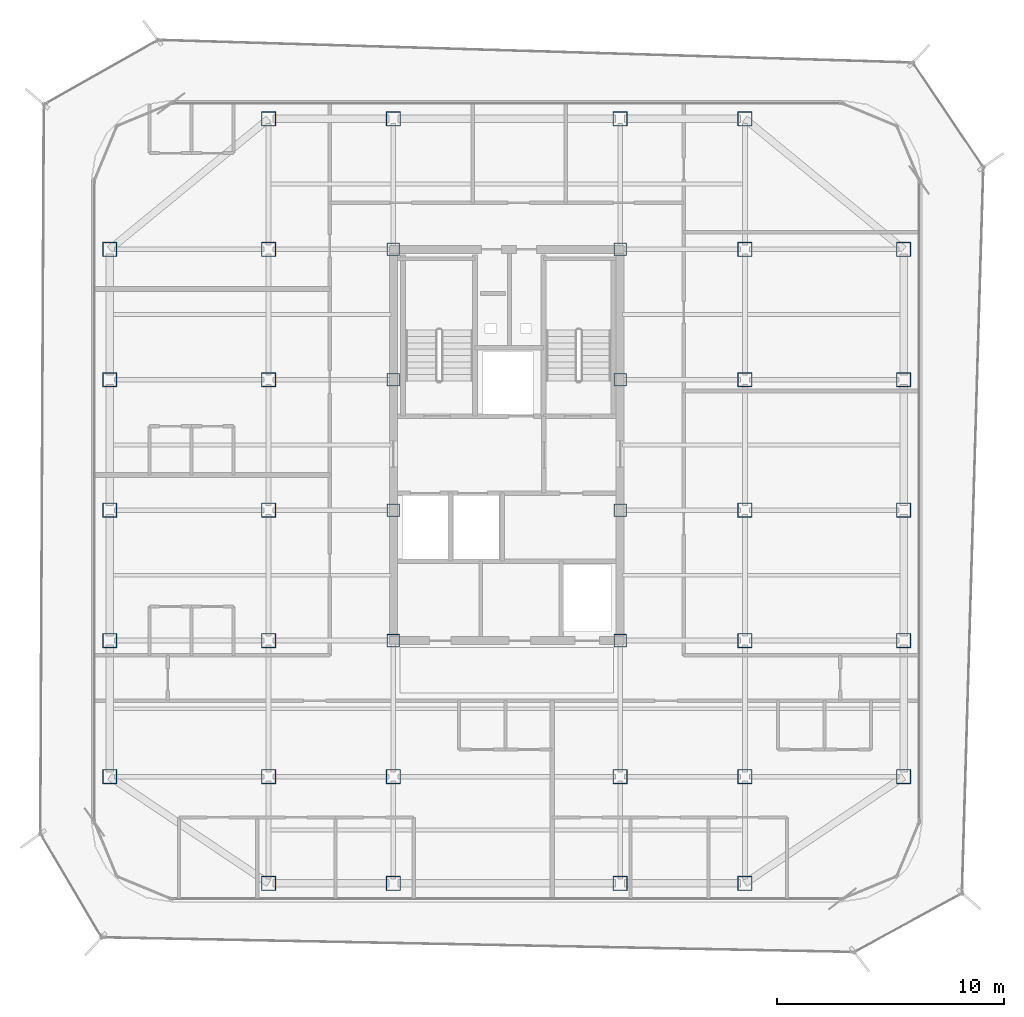
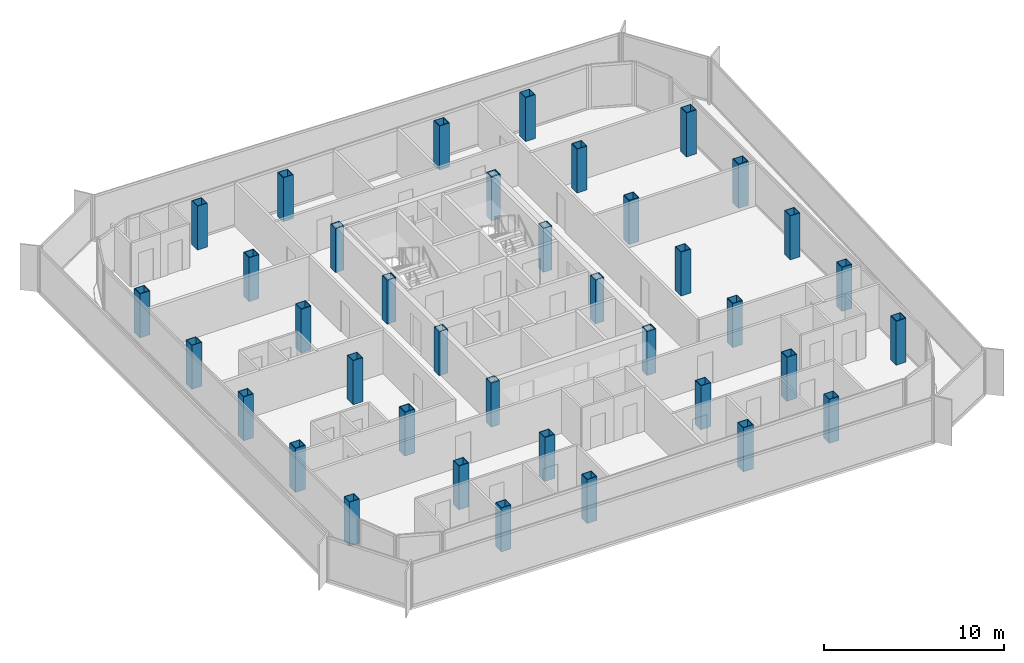
# One storey, part 1 of 15: 38 columns.
"""IFC4 building model written with IfcOpenShell, lengths in metres."""

from ifc_helpers import new_model, si_unit, direction, frame, origin, origin_2d, place, context, subcontext, project, spatial, hollow_rectangle, extrude, source, transform, mapped, material, material_profile, profile_set, type_object, element, save


model = new_model("IFC4")

# Units and contexts
model_context = context("Model", 3, precision=1e-05, world=origin(), true_north=direction((0.0, 1.0)))
body_context = subcontext(model_context, "Body", "Model", "MODEL_VIEW")
ifc_project = project(units=[si_unit("LENGTHUNIT", "METRE"), si_unit("AREAUNIT", "SQUARE_METRE"), si_unit("VOLUMEUNIT", "CUBIC_METRE"), si_unit("PLANEANGLEUNIT", "RADIAN"), si_unit("MASSUNIT", "GRAM", prefix="KILO")], contexts=[model_context])

# Site, building, storey
site_placement = place(None, origin())
site = spatial("IfcSite", under=ifc_project, at=site_placement, CompositionType="ELEMENT")
building_placement = place(site_placement, origin())
building = spatial("IfcBuilding", under=site, at=building_placement, Name="Kolveth Station Tower", CompositionType="ELEMENT")
storey_placement = place(building_placement, frame((0.0, 0.0, 258.5)))
storey = spatial("IfcBuildingStorey", under=building, at=storey_placement, Name="L74", CompositionType="ELEMENT", Elevation=258.5)

# Columns
ifc_material = material(Name="Steel S355", Category="steel")
ifc_material_profile_1 = material_profile(ifc_material, hollow_rectangle(XDim=0.639892578125, YDim=0.639892578125, WallThickness=0.034912109375, at=origin_2d()), Name="BOX640x640x35")
ifc_profile_set_1 = profile_set([ifc_material_profile_1], Name="Steel S355")
column_type_1 = type_object("IfcColumnType", Name="Col_C7", PredefinedType="COLUMN", material=ifc_profile_set_1)
shared_shape_1 = source(origin(), body_context, "Body", "SweptSolid", [
    extrude(hollow_rectangle(XDim=0.639892578125, YDim=0.639892578125, WallThickness=0.034912109375, at=origin_2d()), origin(), (0.0, 0.0, 1.0), 2.97998046875),
])
for number, where, z_axis, x_axis, name in (
    (1, (13.0, 0.800048828125, 0.0), (0.0, 0.0, 1.0), (1.0, 0.0, 0.0), "L74 Tower Column S-X130"),
    (2, (13.0, 34.5, 0.0), (0.0, 0.0, 1.0), (1.0, 0.0, 0.0), "L74 Tower Column N-X130"),
    (3, (18.5, 0.800048828125, 0.0), (0.0, 0.0, 1.0), (1.0, 0.0, 0.0), "L74 Tower Column S-X185"),
    (4, (18.5, 34.5, 0.0), (0.0, 0.0, 1.0), (1.0, 0.0, 0.0), "L74 Tower Column N-X185"),
    (5, (28.5, 0.800048828125, 0.0), (0.0, 0.0, 1.0), (1.0, 0.0, 0.0), "L74 Tower Column S-X285"),
    (6, (28.5, 34.5, 0.0), (0.0, 0.0, 1.0), (1.0, 0.0, 0.0), "L74 Tower Column N-X285"),
    (7, (34.0, 0.800048828125, 0.0), (0.0, 0.0, 1.0), (1.0, 0.0, 0.0), "L74 Tower Column S-X340"),
    (8, (34.0, 34.5, 0.0), (0.0, 0.0, 1.0), (1.0, 0.0, 0.0), "L74 Tower Column N-X340"),
    (9, (6.0, 5.5, 0.0), (0.0, 0.0, 1.0), (1.0, 0.0, 0.0), "L74 Tower Column W-Y55"),
    (10, (41.0, 5.5, 0.0), (0.0, 0.0, 1.0), (1.0, 0.0, 0.0), "L74 Tower Column E-Y55"),
    (11, (6.0, 11.5, 0.0), (0.0, 0.0, 1.0), (1.0, 0.0, 0.0), "L74 Tower Column W-Y115"),
    (12, (41.0, 11.5, 0.0), (0.0, 0.0, 1.0), (1.0, 0.0, 0.0), "L74 Tower Column E-Y115"),
    (13, (6.0, 17.25, 0.0), (0.0, 0.0, 1.0), (1.0, 0.0, 0.0), "L74 Tower Column W-Y172"),
    (14, (41.0, 17.25, 0.0), (0.0, 0.0, 1.0), (1.0, 0.0, 0.0), "L74 Tower Column E-Y172"),
    (15, (6.0, 23.0, 0.0), (0.0, 0.0, 1.0), (1.0, 0.0, 0.0), "L74 Tower Column W-Y230"),
    (16, (41.0, 23.0, 0.0), (0.0, 0.0, 1.0), (1.0, 0.0, 0.0), "L74 Tower Column E-Y230"),
    (17, (6.0, 28.75, 0.0), (0.0, 0.0, 1.0), (1.0, 0.0, 0.0), "L74 Tower Column W-Y287"),
    (18, (41.0, 28.75, 0.0), (0.0, 0.0, 1.0), (1.0, 0.0, 0.0), "L74 Tower Column E-Y287"),
    (19, (13.0, 5.5, 0.0), (0.0, 0.0, 1.0), (1.0, 0.0, 0.0), "L74 Tower Column G-130-55"),
    (20, (13.0, 11.5, 0.0), (0.0, 0.0, 1.0), (1.0, 0.0, 0.0), "L74 Tower Column G-130-115"),
    (21, (13.0, 17.25, 0.0), (0.0, 0.0, 1.0), (1.0, 0.0, 0.0), "L74 Tower Column G-130-172"),
    (22, (13.0, 23.0, 0.0), (0.0, 0.0, 1.0), (1.0, 0.0, 0.0), "L74 Tower Column G-130-230"),
    (23, (13.0, 28.75, 0.0), (0.0, 0.0, 1.0), (1.0, 0.0, 0.0), "L74 Tower Column G-130-287"),
    (24, (18.5, 5.5, 0.0), (0.0, 0.0, 1.0), (1.0, 0.0, 0.0), "L74 Tower Column G-185-55"),
    (25, (28.5, 5.5, 0.0), (0.0, 0.0, 1.0), (1.0, 0.0, 0.0), "L74 Tower Column G-285-55"),
    (26, (34.0, 5.5, 0.0), (0.0, 0.0, 1.0), (1.0, 0.0, 0.0), "L74 Tower Column G-340-55"),
    (27, (34.0, 11.5, 0.0), (0.0, 0.0, 1.0), (1.0, 0.0, 0.0), "L74 Tower Column G-340-115"),
    (28, (34.0, 17.25, 0.0), (0.0, 0.0, 1.0), (1.0, 0.0, 0.0), "L74 Tower Column G-340-172"),
    (29, (34.0, 23.0, 0.0), (0.0, 0.0, 1.0), (1.0, 0.0, 0.0), "L74 Tower Column G-340-230"),
    (30, (34.0, 28.75, 0.0), (0.0, 0.0, 1.0), (1.0, 0.0, 0.0), "L74 Tower Column G-340-287"),
):
    element("IfcColumn", number, at=place(storey_placement, frame(where, z_axis=z_axis, x_axis=x_axis)), inside=storey, type_object=column_type_1, Name=name, PredefinedType="COLUMN", context=body_context, shape_type="MappedRepresentation", body=[
        mapped(shared_shape_1, transform((0.0, 0.0, 0.0), x_axis=(1.0, 0.0, 0.0), y_axis=(0.0, 1.0, 0.0), z_axis=(0.0, 0.0, 1.0), scale=1.0)),
    ])
ifc_material_profile_2 = material_profile(ifc_material, hollow_rectangle(XDim=0.56005859375, YDim=0.56005859375, WallThickness=0.030029296875, at=origin_2d()), Name="BOX560x560x30")
ifc_profile_set_2 = profile_set([ifc_material_profile_2], Name="Steel S355")
column_type_2 = type_object("IfcColumnType", Name="Col_C8", PredefinedType="COLUMN", material=ifc_profile_set_2)
shared_shape_2 = source(origin(), body_context, "Body", "SweptSolid", [
    extrude(hollow_rectangle(XDim=0.56005859375, YDim=0.56005859375, WallThickness=0.030029296875, at=origin_2d()), origin(), (0.0, 0.0, 1.0), 2.97998046875),
])
for number, where, z_axis, x_axis, name in (
    (31, (18.5, 11.5, 0.0), (0.0, 0.0, 1.0), (1.0, 0.0, 0.0), "L74 Tower Column G-185-115"),
    (32, (18.5, 17.25, 0.0), (0.0, 0.0, 1.0), (1.0, 0.0, 0.0), "L74 Tower Column G-185-172"),
    (33, (18.5, 23.0, 0.0), (0.0, 0.0, 1.0), (1.0, 0.0, 0.0), "L74 Tower Column G-185-230"),
    (34, (18.5, 28.75, 0.0), (0.0, 0.0, 1.0), (1.0, 0.0, 0.0), "L74 Tower Column G-185-287"),
    (35, (28.5, 11.5, 0.0), (0.0, 0.0, 1.0), (1.0, 0.0, 0.0), "L74 Tower Column G-285-115"),
    (36, (28.5, 17.25, 0.0), (0.0, 0.0, 1.0), (1.0, 0.0, 0.0), "L74 Tower Column G-285-172"),
    (37, (28.5, 23.0, 0.0), (0.0, 0.0, 1.0), (1.0, 0.0, 0.0), "L74 Tower Column G-285-230"),
    (38, (28.5, 28.75, 0.0), (0.0, 0.0, 1.0), (1.0, 0.0, 0.0), "L74 Tower Column G-285-287"),
):
    element("IfcColumn", number, at=place(storey_placement, frame(where, z_axis=z_axis, x_axis=x_axis)), inside=storey, type_object=column_type_2, Name=name, PredefinedType="COLUMN", context=body_context, shape_type="MappedRepresentation", body=[
        mapped(shared_shape_2, transform((0.0, 0.0, 0.0), x_axis=(1.0, 0.0, 0.0), y_axis=(0.0, 1.0, 0.0), z_axis=(0.0, 0.0, 1.0), scale=1.0)),
    ])

save(model, "model.ifc")
